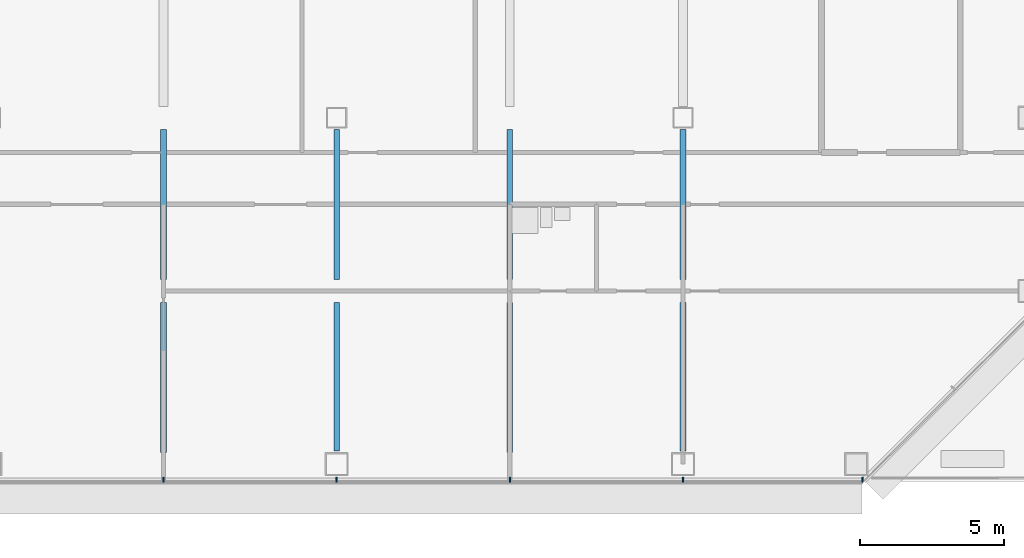
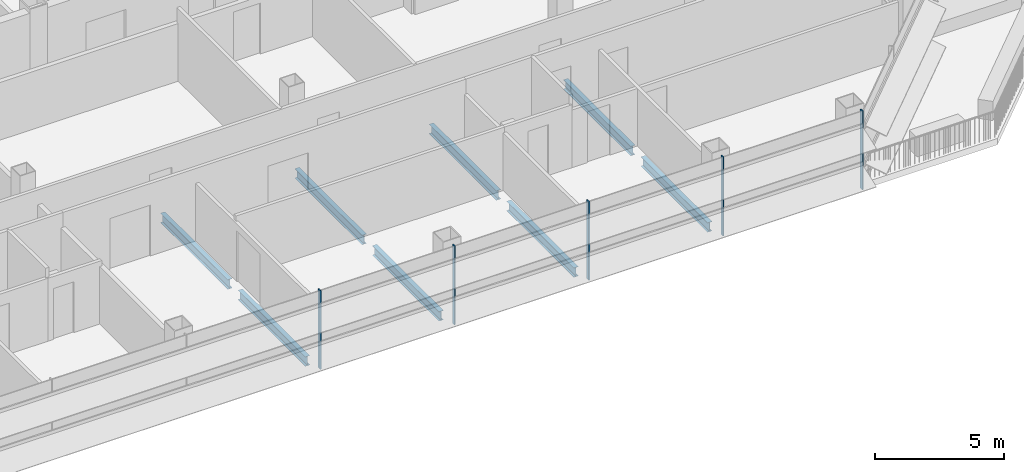
# One storey, part 8 of 28: 8 beams, 5 members, 1 element without a shape of its own.
"""IFC4 building model written with IfcOpenShell, lengths in metres."""

from ifc_helpers import new_model, si_unit, direction, frame, origin, origin_2d, place, context, subcontext, project, spatial, rectangle, i_section, extrude, material, material_profile, profile_set, type_object, element, aggregate, save


model = new_model("IFC4")

# Units and contexts
model_context = context("Model", 3, precision=1e-05, world=origin(), true_north=direction((0.0, 1.0)))
body_context = subcontext(model_context, "Body", "Model", "MODEL_VIEW")
ifc_project = project(units=[si_unit("LENGTHUNIT", "METRE"), si_unit("AREAUNIT", "SQUARE_METRE"), si_unit("VOLUMEUNIT", "CUBIC_METRE"), si_unit("PLANEANGLEUNIT", "RADIAN"), si_unit("MASSUNIT", "GRAM", prefix="KILO")], contexts=[model_context])

# Site, building, storey
site_placement = place(None, origin())
site = spatial("IfcSite", under=ifc_project, at=site_placement, CompositionType="ELEMENT")
building_placement = place(site_placement, origin())
building = spatial("IfcBuilding", under=site, at=building_placement, Name="Sorahane Residences", CompositionType="ELEMENT")
storey_placement = place(building_placement, frame((0.0, 0.0, 96.199951171875)))
storey = spatial("IfcBuildingStorey", under=building, at=storey_placement, Name="L20", CompositionType="ELEMENT", Elevation=96.199951171875)

# Curtain wall, members
ifc_material_1 = material(Name="Dark low-e glass and black anodised aluminium", Category="aluminium")
curtain_wall_type = type_object("IfcCurtainWallType", Name="Curtain wall CW-1 Typical unitised wall", PredefinedType="NOTDEFINED", material=ifc_material_1)
curtain_wall_placement = place(storey_placement, origin())
curtain_wall = element("IfcCurtainWall", 1, at=curtain_wall_placement, inside=storey, type_object=curtain_wall_type, Name="CW-1 curtain wall L20 S1", PredefinedType="NOTDEFINED")
ifc_material_2 = material(Name="Black anodised aluminium", Category="aluminium")
ifc_material_profile_1 = material_profile(ifc_material_2, rectangle(XDim=0.159912109375, YDim=0.050048828125, at=origin_2d()), Name="Curtain wall mullion CW-1 black anodised aluminium 50x160")
ifc_profile_set_1 = profile_set([ifc_material_profile_1], Name="Black anodised aluminium")
member_type = type_object("IfcMemberType", Name="Curtain wall mullion CW-1 black anodised aluminium 50x160", PredefinedType="MULLION", material=ifc_profile_set_1)
member_1_placement = place(storey_placement, frame((30.0, -0.5400390625, -0.300048828125), z_axis=(0.0, 0.0, 1.0), x_axis=(0.0, -1.0, 0.0)))
member_1 = element("IfcMember", 2, at=member_1_placement, type_object=member_type, Name="CW-1 mullion L20 S1.6", PredefinedType="MULLION", context=body_context, shape_type="SweptSolid", body=[
    extrude(rectangle(XDim=0.159912109375, YDim=0.050048828125, at=origin_2d()), origin(), (0.0, 0.0, 1.0), 3.72021484375),
])
member_2_placement = place(storey_placement, frame((36.0, -0.5400390625, -0.300048828125), z_axis=(0.0, 0.0, 1.0), x_axis=(0.0, -1.0, 0.0)))
member_2 = element("IfcMember", 3, at=member_2_placement, type_object=member_type, Name="CW-1 mullion L20 S1.7", PredefinedType="MULLION", context=body_context, shape_type="SweptSolid", body=[
    extrude(rectangle(XDim=0.159912109375, YDim=0.050048828125, at=origin_2d()), origin(), (0.0, 0.0, 1.0), 3.72021484375),
])
member_3_placement = place(storey_placement, frame((42.0, -0.5400390625, -0.300048828125), z_axis=(0.0, 0.0, 1.0), x_axis=(0.0, -1.0, 0.0)))
member_3 = element("IfcMember", 4, at=member_3_placement, type_object=member_type, Name="CW-1 mullion L20 S1.8", PredefinedType="MULLION", context=body_context, shape_type="SweptSolid", body=[
    extrude(rectangle(XDim=0.159912109375, YDim=0.050048828125, at=origin_2d()), origin(), (0.0, 0.0, 1.0), 3.72021484375),
])
member_4_placement = place(storey_placement, frame((48.0, -0.5400390625, -0.300048828125), z_axis=(0.0, 0.0, 1.0), x_axis=(0.0, -1.0, 0.0)))
member_4 = element("IfcMember", 5, at=member_4_placement, type_object=member_type, Name="CW-1 mullion L20 S1.9", PredefinedType="MULLION", context=body_context, shape_type="SweptSolid", body=[
    extrude(rectangle(XDim=0.159912109375, YDim=0.050048828125, at=origin_2d()), origin(), (0.0, 0.0, 1.0), 3.72021484375),
])
member_5_placement = place(storey_placement, frame((54.2236328125, -0.5400390625, -0.300048828125), z_axis=(0.0, 0.0, 1.0), x_axis=(0.0, -1.0, 0.0)))
member_5 = element("IfcMember", 6, at=member_5_placement, type_object=member_type, Name="CW-1 mullion L20 S1.10", PredefinedType="MULLION", context=body_context, shape_type="SweptSolid", body=[
    extrude(rectangle(XDim=0.159912109375, YDim=0.050048828125, at=origin_2d()), origin(), (0.0, 0.0, 1.0), 3.72021484375),
])
aggregate(curtain_wall, [member_1, member_2, member_3, member_4, member_5])

# Beams
ifc_material_3 = material(Name="Steel Q355B", Category="steel")
ifc_material_profile_2 = material_profile(ifc_material_3, i_section(OverallWidth=0.199951171875, OverallDepth=0.449951171875, WebThickness=0.009033203125, FlangeThickness=0.013916015625, FilletRadius=0.02001953125, at=origin_2d()), Name="HN 450x200x9x14")
ifc_profile_set_2 = profile_set([ifc_material_profile_2], Name="Steel Q355B")
beam_type = type_object("IfcBeamType", Name="Steel floor beam HN 450x200x9x14 Q355B", PredefinedType="BEAM", material=ifc_profile_set_2)
for number, where, z_axis, x_axis, name in (
    (7, (30.0, 0.39990234375, -0.52490234375), (0.0, 1.0, 0.0), (-1.0, 0.0, 0.0), "Beam L20 027"),
    (8, (30.0, 6.39990234375, -0.52490234375), (0.0, 1.0, 0.0), (-1.0, 0.0, 0.0), "Beam L20 028"),
):
    element("IfcBeam", number, at=place(storey_placement, frame(where, z_axis=z_axis, x_axis=x_axis)), inside=storey, type_object=beam_type, Name=name, PredefinedType="BEAM", context=body_context, shape_type="SweptSolid", body=[
        extrude(i_section(OverallWidth=0.199951171875, OverallDepth=0.449951171875, WebThickness=0.009033203125, FlangeThickness=0.013916015625, FilletRadius=0.02001953125, at=origin_2d()), origin(), (0.0, 0.0, 1.0), 5.2001953125),
    ])
beam_1_placement = place(storey_placement, frame((36.0, 0.449951171875, -0.52490234375), z_axis=(0.0, 1.0, 0.0), x_axis=(-1.0, 0.0, 0.0)))
element("IfcBeam", 9, at=beam_1_placement, inside=storey, type_object=beam_type, Name="Beam L20 034", PredefinedType="BEAM", context=body_context, shape_type="SweptSolid", body=[
    extrude(i_section(OverallWidth=0.199951171875, OverallDepth=0.449951171875, WebThickness=0.009033203125, FlangeThickness=0.013916015625, FilletRadius=0.02001953125, at=origin_2d()), origin(), (0.0, 0.0, 1.0), 5.150146484375),
])
for number, where, z_axis, x_axis, name in (
    (10, (36.0, 6.39990234375, -0.52490234375), (0.0, 1.0, 0.0), (-1.0, 0.0, 0.0), "Beam L20 035"),
    (11, (42.0, 0.39990234375, -0.52490234375), (0.0, 1.0, 0.0), (-1.0, 0.0, 0.0), "Beam L20 037"),
    (12, (42.0, 6.39990234375, -0.52490234375), (0.0, 1.0, 0.0), (-1.0, 0.0, 0.0), "Beam L20 038"),
):
    element("IfcBeam", number, at=place(storey_placement, frame(where, z_axis=z_axis, x_axis=x_axis)), inside=storey, type_object=beam_type, Name=name, PredefinedType="BEAM", context=body_context, shape_type="SweptSolid", body=[
        extrude(i_section(OverallWidth=0.199951171875, OverallDepth=0.449951171875, WebThickness=0.009033203125, FlangeThickness=0.013916015625, FilletRadius=0.02001953125, at=origin_2d()), origin(), (0.0, 0.0, 1.0), 5.2001953125),
    ])
beam_2_placement = place(storey_placement, frame((48.0, 0.449951171875, -0.52490234375), z_axis=(0.0, 1.0, 0.0), x_axis=(-1.0, 0.0, 0.0)))
element("IfcBeam", 13, at=beam_2_placement, inside=storey, type_object=beam_type, Name="Beam L20 044", PredefinedType="BEAM", context=body_context, shape_type="SweptSolid", body=[
    extrude(i_section(OverallWidth=0.199951171875, OverallDepth=0.449951171875, WebThickness=0.009033203125, FlangeThickness=0.013916015625, FilletRadius=0.02001953125, at=origin_2d()), origin(), (0.0, 0.0, 1.0), 5.150146484375),
])
beam_3_placement = place(storey_placement, frame((48.0, 6.39990234375, -0.52490234375), z_axis=(0.0, 1.0, 0.0), x_axis=(-1.0, 0.0, 0.0)))
element("IfcBeam", 14, at=beam_3_placement, inside=storey, type_object=beam_type, Name="Beam L20 045", PredefinedType="BEAM", context=body_context, shape_type="SweptSolid", body=[
    extrude(i_section(OverallWidth=0.199951171875, OverallDepth=0.449951171875, WebThickness=0.009033203125, FlangeThickness=0.013916015625, FilletRadius=0.02001953125, at=origin_2d()), origin(), (0.0, 0.0, 1.0), 5.2001953125),
])

save(model, "model.ifc")
